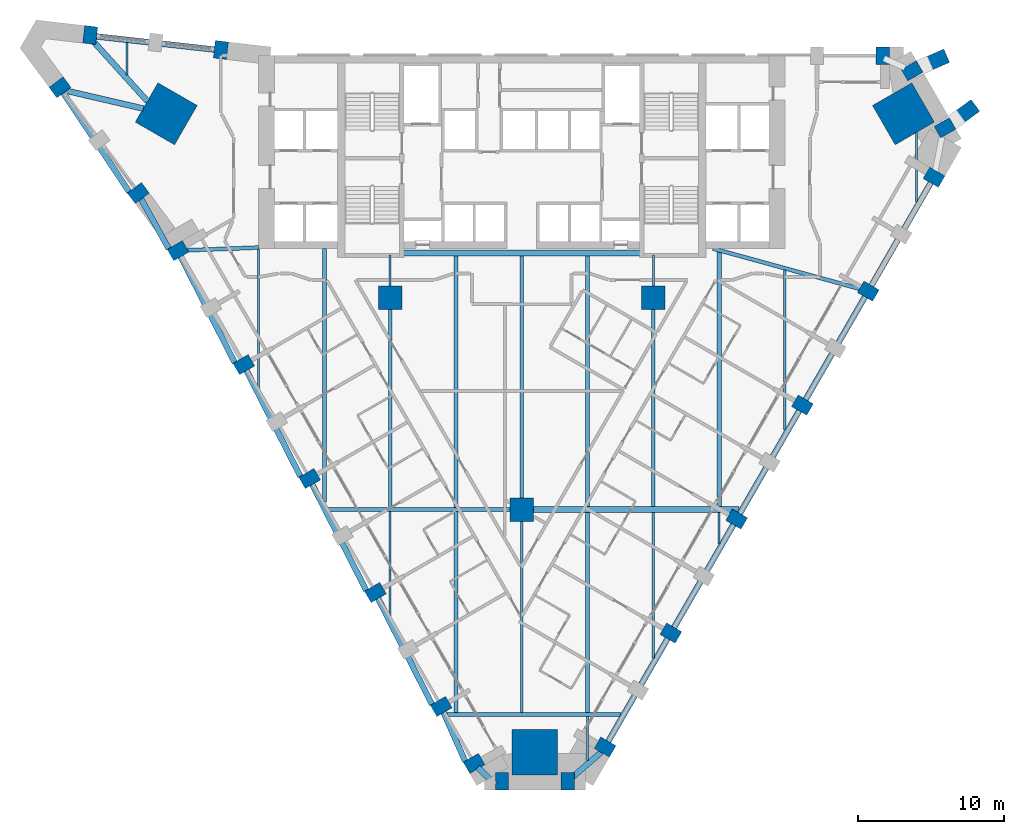
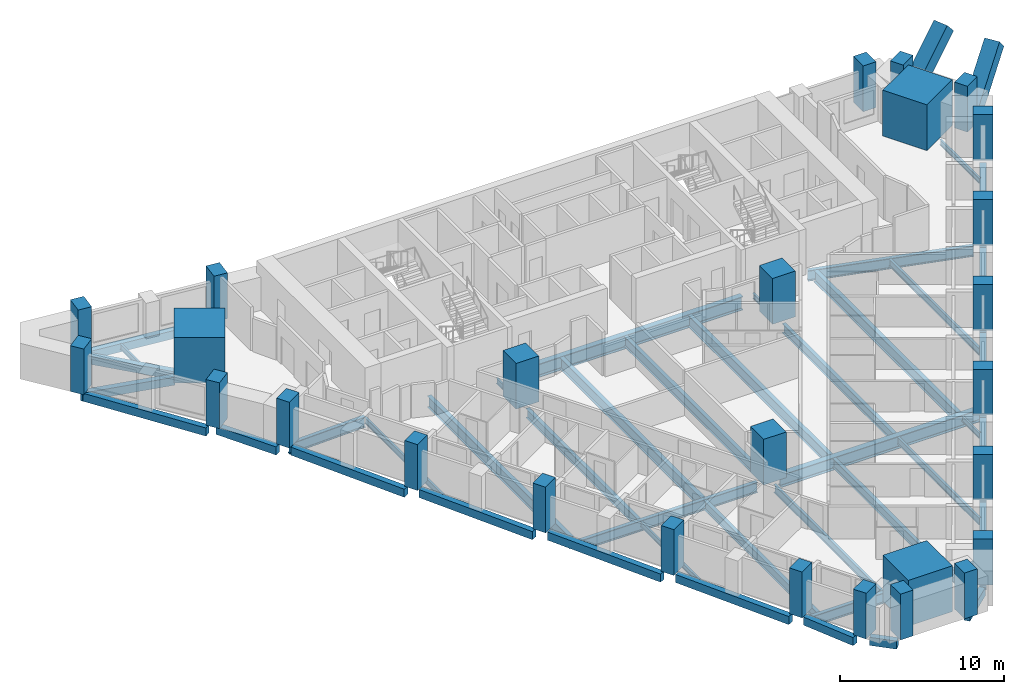
# One storey, part 1 of 12: 43 beams, 29 columns.
"""IFC4 building model written with IfcOpenShell, lengths in metres."""

from ifc_helpers import new_model, si_unit, direction, frame, origin, origin_2d, place, context, subcontext, project, spatial, rectangle, i_section, extrude, material, material_profile, profile_set, type_object, element, save


model = new_model("IFC4")

# Units and contexts
model_context = context("Model", 3, precision=1e-05, world=origin(), true_north=direction((0.0, 1.0)))
body_context = subcontext(model_context, "Body", "Model", "MODEL_VIEW")
ifc_project = project(units=[si_unit("LENGTHUNIT", "METRE"), si_unit("AREAUNIT", "SQUARE_METRE"), si_unit("VOLUMEUNIT", "CUBIC_METRE"), si_unit("PLANEANGLEUNIT", "RADIAN"), si_unit("MASSUNIT", "GRAM", prefix="KILO")], contexts=[model_context])

# Site, building, storey
site_placement = place(None, origin())
site = spatial("IfcSite", under=ifc_project, at=site_placement, CompositionType="ELEMENT")
building_placement = place(site_placement, origin())
building = spatial("IfcBuilding", under=site, at=building_placement, Name="Calabash Gate Tower", CompositionType="ELEMENT")
storey_placement = place(building_placement, frame((0.0, 0.0, 80.0)))
storey = spatial("IfcBuildingStorey", under=building, at=storey_placement, Name="L16", CompositionType="ELEMENT", Elevation=80.0)

# Columns
ifc_material_1 = material(Name="Concrete C80/95", Category="concrete")
ifc_material_profile_1 = material_profile(ifc_material_1, rectangle(XDim=1.60009765625, YDim=1.60009765625, at=origin_2d()))
ifc_profile_set_1 = profile_set([ifc_material_profile_1], Name="Concrete C80/95")
column_type_1 = type_object("IfcColumnType", Name="Interior column RC 1600x1600 Concrete C80/95", PredefinedType="COLUMN", material=ifc_profile_set_1)
for number, where, z_axis, x_axis, name in (
    (1, (-9.0, 2.5, 0.0), (0.0, 0.0, 1.0), (1.0, 0.0, 0.0), "Interior column L16 I0"),
    (2, (9.0, 2.5, 0.0), (0.0, 0.0, 1.0), (1.0, 0.0, 0.0), "Interior column L16 I1"),
    (3, (0.0, -12.0, 0.0), (0.0, 0.0, 1.0), (1.0, 0.0, 0.0), "Interior column L16 I2"),
):
    element("IfcColumn", number, at=place(storey_placement, frame(where, z_axis=z_axis, x_axis=x_axis)), inside=storey, type_object=column_type_1, Name=name, PredefinedType="COLUMN", context=body_context, shape_type="SweptSolid", body=[
        extrude(rectangle(XDim=1.60009765625, YDim=1.60009765625, at=origin_2d()), origin(), (0.0, 0.0, 1.0), 3.39990234375),
    ])
ifc_material_2 = material(Name="Concrete C80/95", Category="concrete")
ifc_material_profile_2 = material_profile(ifc_material_2, rectangle(XDim=3.10009765625, YDim=3.10009765625, at=origin_2d()))
ifc_profile_set_2 = profile_set([ifc_material_profile_2], Name="Concrete C80/95")
column_type_2 = type_object("IfcColumnType", Name="Mega column RC 3100x3100 Concrete C80/95", PredefinedType="COLUMN", material=ifc_profile_set_2)
for number, where, z_axis, x_axis, name in (
    (4, (-24.31689453125, 15.072998046875, 0.0), (0.0, 0.0, 1.0), (0.866025412511, -0.499999984885, 0.0), "Mega column L16 NW"),
    (5, (26.10693359375, 15.072998046875, 0.0), (0.0, 0.0, 1.0), (-0.866025447418, -0.499999924425, 0.0), "Mega column L16 NE"),
    (6, (0.89697265625, -28.595947265625, 0.0), (0.0, 0.0, 1.0), (0.0, 1.0, 0.0), "Mega column L16 S"),
):
    element("IfcColumn", number, at=place(storey_placement, frame(where, z_axis=z_axis, x_axis=x_axis)), inside=storey, type_object=column_type_2, Name=name, PredefinedType="COLUMN", context=body_context, shape_type="SweptSolid", body=[
        extrude(rectangle(XDim=3.10009765625, YDim=3.10009765625, at=origin_2d()), origin(), (0.0, 0.0, 1.0), 3.39990234375),
    ])
ifc_material_3 = material(Name="Concrete C70/85", Category="concrete")
ifc_material_profile_3 = material_profile(ifc_material_3, rectangle(XDim=0.89990234375, YDim=1.199951171875, at=origin_2d()))
ifc_profile_set_3 = profile_set([ifc_material_profile_3], Name="Concrete C70/85")
column_type_3 = type_object("IfcColumnType", Name="Perimeter column RC 900x1200 Concrete C70/85", PredefinedType="COLUMN", material=ifc_profile_set_3)
for number, where, z_axis, x_axis, name in (
    (7, (-23.509033203125, 5.714111328125, 0.0), (0.0, 0.0, 1.0), (0.5, -0.866025403784, 0.0), "Perimeter column L16 P00"),
    (8, (-19.009033203125, -2.080078125, 0.0), (0.0, 0.0, 1.0), (0.5, -0.866025403784, 0.0), "Perimeter column L16 P01"),
    (9, (-14.509033203125, -9.8740234375, 0.0), (0.0, 0.0, 1.0), (0.5, -0.866025403784, 0.0), "Perimeter column L16 P02"),
    (10, (-10.009033203125, -17.6689453125, 0.0), (0.0, 0.0, 1.0), (0.5, -0.866025403784, 0.0), "Perimeter column L16 P03"),
    (11, (-5.509033203125, -25.462890625, 0.0), (0.0, 0.0, 1.0), (0.5, -0.866025403784, 0.0), "Perimeter column L16 P04"),
    (12, (-3.259033203125, -29.360107421875, 0.0), (0.0, 0.0, 1.0), (0.5, -0.866025403784, 0.0), "Perimeter column L16 P05"),
    (13, (-1.35302734375, -30.573974609375, 0.0), (0.0, 0.0, 1.0), (1.0, 0.0, 0.0), "Perimeter column L16 P06"),
    (14, (3.14697265625, -30.573974609375, 0.0), (0.0, 0.0, 1.0), (1.0, 0.0, 0.0), "Perimeter column L16 P07"),
    (15, (5.697021484375, -28.237060546875, 0.0), (0.0, 0.0, 1.0), (0.5, 0.866025403784, 0.0), "Perimeter column L16 P08"),
    (16, (10.197021484375, -20.443115234375, 0.0), (0.0, 0.0, 1.0), (0.5, 0.866025403784, 0.0), "Perimeter column L16 P09"),
    (17, (14.697021484375, -12.64794921875, 0.0), (0.0, 0.0, 1.0), (0.5, 0.866025403784, 0.0), "Perimeter column L16 P10"),
    (18, (19.197021484375, -4.85400390625, 0.0), (0.0, 0.0, 1.0), (0.5, 0.866025403784, 0.0), "Perimeter column L16 P11"),
    (19, (23.697021484375, 2.93994140625, 0.0), (0.0, 0.0, 1.0), (0.5, 0.866025403784, 0.0), "Perimeter column L16 P12"),
    (20, (28.197021484375, 10.73388671875, 0.0), (0.0, 0.0, 1.0), (0.5, 0.866025403784, 0.0), "Perimeter column L16 P13"),
    (21, (28.947021484375, 14.113037109375, 0.0), (0.0, 0.0, 1.0), (-0.5, 0.866025403784, 0.0), "Perimeter column L16 P14"),
    (22, (26.697021484375, 18.010986328125, 0.0), (0.0, 0.0, 1.0), (-0.5, 0.866025403784, 0.0), "Perimeter column L16 P15"),
    (23, (24.69189453125, 19.052978515625, 0.0), (0.0, 0.0, 1.0), (-1.0, 0.0, 0.0), "Perimeter column L16 P16"),
    (24, (-20.576904296875, 19.43798828125, 0.0), (0.0, 0.0, 1.0), (-0.993506319736, 0.113776942504, 0.0), "Perimeter column L16 P17"),
    (25, (-29.51904296875, 20.4619140625, 0.0), (0.0, 0.0, 1.0), (-0.993506319736, 0.113776942504, 0.0), "Perimeter column L16 P18"),
    (26, (-31.5830078125, 16.883056640625, 0.0), (0.0, 0.0, 1.0), (0.595286896465, -0.80351323007, 0.0), "Perimeter column L16 P19"),
    (27, (-26.22802734375, 9.65087890625, 0.0), (0.0, 0.0, 1.0), (0.595286896465, -0.80351323007, 0.0), "Perimeter column L16 P20"),
):
    element("IfcColumn", number, at=place(storey_placement, frame(where, z_axis=z_axis, x_axis=x_axis)), inside=storey, type_object=column_type_3, Name=name, PredefinedType="COLUMN", context=body_context, shape_type="SweptSolid", body=[
        extrude(rectangle(XDim=0.89990234375, YDim=1.199951171875, at=origin_2d()), origin(), (0.0, 0.0, 1.0), 3.39990234375),
    ])
ifc_material_4 = material(Name="Concrete C80/95", Category="concrete")
ifc_material_profile_4 = material_profile(ifc_material_4, rectangle(XDim=1.0, YDim=1.0, at=origin_2d()))
ifc_profile_set_4 = profile_set([ifc_material_profile_4], Name="Concrete C80/95")
column_type_4 = type_object("IfcColumnType", Name="Prow kicker column RC 1000x1000 Concrete C80/95", PredefinedType="COLUMN", material=ifc_profile_set_4)
for number, where, z_axis, x_axis, name in (
    (28, (29.756103515625, 14.7119140625, 0.47412109375), (0.602858898246, 0.444389339192, 0.662630563752), (-0.533379588155, -0.393173599009, 0.748946417297), "Prow kicker column L16 KP22"),
    (29, (27.618896484375, 18.4140625, 0.47412109375), (0.686268897976, 0.299865944221, 0.662657841701), (-0.60722117307, -0.265325954521, 0.748922282238), "Prow kicker column L16 KP23"),
):
    element("IfcColumn", number, at=place(storey_placement, frame(where, z_axis=z_axis, x_axis=x_axis)), inside=storey, type_object=column_type_4, Name=name, PredefinedType="COLUMN", context=body_context, shape_type="SweptSolid", body=[
        extrude(rectangle(XDim=1.0, YDim=1.0, at=origin_2d()), origin(), (0.0, 0.0, 1.0), 4.415283203125),
    ])

# Beams
ifc_material_5 = material(Name="Concrete C60/75", Category="concrete")
ifc_material_profile_5 = material_profile(ifc_material_5, rectangle(XDim=0.39990234375, YDim=0.60009765625, at=origin_2d()))
ifc_profile_set_5 = profile_set([ifc_material_profile_5], Name="Concrete C60/75")
beam_type_1 = type_object("IfcBeamType", Name="Edge beam RC 400x600 Concrete C60/75", PredefinedType="BEAM", material=ifc_profile_set_5)
for number, where, z_axis, x_axis, name in (
    (30, (-18.864013671875, -2.4208984375, -0.469970703125), (0.454360539812, -0.890817882545, 0.0), (0.890817882545, 0.454360539812, 0.0), "Edge beam L16 1"),
    (31, (-14.364013671875, -10.216064453125, -0.469970703125), (0.454360539812, -0.890817882545, 0.0), (0.890817882545, 0.454360539812, 0.0), "Edge beam L16 2"),
    (32, (-9.864013671875, -18.010009765625, -0.469970703125), (0.454360539812, -0.890817882545, 0.0), (0.890817882545, 0.454360539812, 0.0), "Edge beam L16 3"),
):
    element("IfcBeam", number, at=place(storey_placement, frame(where, z_axis=z_axis, x_axis=x_axis)), inside=storey, type_object=beam_type_1, Name=name, PredefinedType="BEAM", context=body_context, shape_type="SweptSolid", body=[
        extrude(rectangle(XDim=0.39990234375, YDim=0.60009765625, at=origin_2d()), origin(), (0.0, 0.0, 1.0), 8.209228515625),
    ])
beam_1_placement = place(storey_placement, frame((-5.383056640625, -25.802978515625, -0.469970703125), z_axis=(0.406538286329, -0.913633745955, 0.0), x_axis=(0.913633745955, 0.406538286329, 0.0)))
element("IfcBeam", 33, at=beam_1_placement, inside=storey, type_object=beam_type_1, Name="Edge beam L16 4", PredefinedType="BEAM", context=body_context, shape_type="SweptSolid", body=[
    extrude(rectangle(XDim=0.39990234375, YDim=0.60009765625, at=origin_2d()), origin(), (0.0, 0.0, 1.0), 3.739013671875),
])
beam_2_placement = place(storey_placement, frame((-3.01708984375, -29.626953125, -0.469970703125), z_axis=(0.719900616521, -0.694077158774, 0.0), x_axis=(0.694077158774, 0.719900616521, 0.0)))
element("IfcBeam", 34, at=beam_2_placement, inside=storey, type_object=beam_type_1, Name="Edge beam L16 5", PredefinedType="BEAM", context=body_context, shape_type="SweptSolid", body=[
    extrude(rectangle(XDim=0.39990234375, YDim=0.60009765625, at=origin_2d()), origin(), (0.0, 0.0, 1.0), 1.70166015625),
])
beam_3_placement = place(storey_placement, frame((3.277099609375, -30.466064453125, -0.469970703125), z_axis=(0.754438433484, 0.656370817512, 0.0), x_axis=(-0.656370817512, 0.754438433484, 0.0)))
element("IfcBeam", 35, at=beam_3_placement, inside=storey, type_object=beam_type_1, Name="Edge beam L16 6", PredefinedType="BEAM", context=body_context, shape_type="SweptSolid", body=[
    extrude(rectangle(XDim=0.39990234375, YDim=0.60009765625, at=origin_2d()), origin(), (0.0, 0.0, 1.0), 2.863037109375),
])
beam_4_placement = place(storey_placement, frame((5.76611328125, -28.116943359375, -0.469970703125), z_axis=(0.500003371769, 0.866023457084, 0.0), x_axis=(-0.866023457084, 0.500003371769, 0.0)))
element("IfcBeam", 36, at=beam_4_placement, inside=storey, type_object=beam_type_1, Name="Edge beam L16 7", PredefinedType="BEAM", context=body_context, shape_type="SweptSolid", body=[
    extrude(rectangle(XDim=0.39990234375, YDim=0.60009765625, at=origin_2d()), origin(), (0.0, 0.0, 1.0), 8.42578125),
])
for number, where, z_axis, x_axis, name in (
    (37, (10.26611328125, -20.322998046875, -0.469970703125), (0.499990825162, 0.866030700815, 0.0), (-0.866030700815, 0.499990825162, 0.0), "Edge beam L16 8"),
    (38, (14.76611328125, -12.529052734375, -0.469970703125), (0.499990825162, 0.866030700815, 0.0), (-0.866030700815, 0.499990825162, 0.0), "Edge beam L16 9"),
):
    element("IfcBeam", number, at=place(storey_placement, frame(where, z_axis=z_axis, x_axis=x_axis)), inside=storey, type_object=beam_type_1, Name=name, PredefinedType="BEAM", context=body_context, shape_type="SweptSolid", body=[
        extrude(rectangle(XDim=0.39990234375, YDim=0.60009765625, at=origin_2d()), origin(), (0.0, 0.0, 1.0), 8.426025390625),
    ])
beam_5_placement = place(storey_placement, frame((19.26611328125, -4.73291015625, -0.469970703125), z_axis=(0.500103763521, 0.865965487599, 0.0), x_axis=(-0.865965487599, 0.500103763521, 0.0)))
element("IfcBeam", 39, at=beam_5_placement, inside=storey, type_object=beam_type_1, Name="Edge beam L16 10", PredefinedType="BEAM", context=body_context, shape_type="SweptSolid", body=[
    extrude(rectangle(XDim=0.39990234375, YDim=0.60009765625, at=origin_2d()), origin(), (0.0, 0.0, 1.0), 8.424072265625),
])
beam_6_placement = place(storey_placement, frame((23.76611328125, 3.06005859375, -0.469970703125), z_axis=(0.500053563446, 0.865994476706, 0.0), x_axis=(-0.865994476706, 0.500053563446, 0.0)))
element("IfcBeam", 40, at=beam_6_placement, inside=storey, type_object=beam_type_1, Name="Edge beam L16 11", PredefinedType="BEAM", context=body_context, shape_type="SweptSolid", body=[
    extrude(rectangle(XDim=0.39990234375, YDim=0.60009765625, at=origin_2d()), origin(), (0.0, 0.0, 1.0), 8.4248046875),
])
beam_7_placement = place(storey_placement, frame((-21.008056640625, 19.466064453125, -0.469970703125), z_axis=(-0.993831779681, 0.110898123053, 0.0), x_axis=(-0.110898123053, -0.993831779681, 0.0)))
element("IfcBeam", 41, at=beam_7_placement, inside=storey, type_object=beam_type_1, Name="Edge beam L16 14", PredefinedType="BEAM", context=body_context, shape_type="SweptSolid", body=[
    extrude(rectangle(XDim=0.39990234375, YDim=0.60009765625, at=origin_2d()), origin(), (0.0, 0.0, 1.0), 8.72900390625),
])
beam_8_placement = place(storey_placement, frame((-29.674072265625, 20.43603515625, -0.469970703125), z_axis=(0.67040303974, -0.741997145754, 0.0), x_axis=(0.741997145754, 0.67040303974, 0.0)))
element("IfcBeam", 42, at=beam_8_placement, inside=storey, type_object=beam_type_1, Name="Edge beam L16 15", PredefinedType="BEAM", context=body_context, shape_type="SweptSolid", body=[
    extrude(rectangle(XDim=0.39990234375, YDim=0.60009765625, at=origin_2d()), origin(), (0.0, 0.0, 1.0), 6.09033203125),
])
beam_9_placement = place(storey_placement, frame((-25.881103515625, 15.427001953125, -0.469970703125), z_axis=(-0.974103552421, 0.226102342228, 0.0), x_axis=(-0.226102342228, -0.974103552421, 0.0)))
element("IfcBeam", 43, at=beam_9_placement, inside=storey, type_object=beam_type_1, Name="Edge beam L16 16", PredefinedType="BEAM", context=body_context, shape_type="SweptSolid", body=[
    extrude(rectangle(XDim=0.39990234375, YDim=0.60009765625, at=origin_2d()), origin(), (0.0, 0.0, 1.0), 5.8955078125),
])
beam_10_placement = place(storey_placement, frame((-31.56689453125, 16.81103515625, -0.469970703125), z_axis=(0.554653898701, -0.832081157494, 0.0), x_axis=(0.832081157494, 0.554653898701, 0.0)))
element("IfcBeam", 44, at=beam_10_placement, inside=storey, type_object=beam_type_1, Name="Edge beam L16 17", PredefinedType="BEAM", context=body_context, shape_type="SweptSolid", body=[
    extrude(rectangle(XDim=0.39990234375, YDim=0.60009765625, at=origin_2d()), origin(), (0.0, 0.0, 1.0), 8.5185546875),
])
beam_11_placement = place(storey_placement, frame((-26.208984375, 9.56396484375, -0.469970703125), z_axis=(0.485277183535, -0.87436036915, 0.0), x_axis=(0.87436036915, 0.485277183535, 0.0)))
element("IfcBeam", 45, at=beam_11_placement, inside=storey, type_object=beam_type_1, Name="Edge beam L16 18", PredefinedType="BEAM", context=body_context, shape_type="SweptSolid", body=[
    extrude(rectangle(XDim=0.39990234375, YDim=0.60009765625, at=origin_2d()), origin(), (0.0, 0.0, 1.0), 4.251220703125),
])
beam_12_placement = place(storey_placement, frame((-23.364013671875, 5.373046875, -0.469970703125), z_axis=(0.454360539812, -0.890817882545, 0.0), x_axis=(0.890817882545, 0.454360539812, 0.0)))
element("IfcBeam", 46, at=beam_12_placement, inside=storey, type_object=beam_type_1, Name="Edge beam L16 19", PredefinedType="BEAM", context=body_context, shape_type="SweptSolid", body=[
    extrude(rectangle(XDim=0.39990234375, YDim=0.60009765625, at=origin_2d()), origin(), (0.0, 0.0, 1.0), 8.209228515625),
])
ifc_material_6 = material(Name="Steel ASTM A992 Gr50", Category="steel")
ifc_material_profile_6 = material_profile(ifc_material_6, i_section(OverallWidth=0.1396484375, OverallDepth=0.398681640625, WebThickness=0.00634765625, FlangeThickness=0.0087890625, FilletRadius=0.01025390625, at=origin_2d()))
ifc_profile_set_6 = profile_set([ifc_material_profile_6], Name="Steel ASTM A992 Gr50")
beam_type_2 = type_object("IfcBeamType", Name="Floor beam W16x26 ASTM A992 Gr50", PredefinedType="BEAM", material=ifc_profile_set_6)
beam_13_placement = place(storey_placement, frame((-27.0, 17.741943359375, -0.368896484375), z_axis=(0.0, 1.0, 0.0), x_axis=(-1.0, 0.0, 0.0)))
element("IfcBeam", 47, at=beam_13_placement, inside=storey, type_object=beam_type_2, Name="Floor beam L16 1", PredefinedType="BEAM", context=body_context, shape_type="SweptSolid", body=[
    extrude(i_section(OverallWidth=0.1396484375, OverallDepth=0.398681640625, WebThickness=0.00634765625, FlangeThickness=0.0087890625, FilletRadius=0.01025390625, at=origin_2d()), origin(), (0.0, 0.0, 1.0), 2.220947265625),
])
beam_14_placement = place(storey_placement, frame((-9.0, -19.2880859375, -0.368896484375), z_axis=(0.0, 1.0, 0.0), x_axis=(-1.0, 0.0, 0.0)))
element("IfcBeam", 48, at=beam_14_placement, inside=storey, type_object=beam_type_2, Name="Floor beam L16 4", PredefinedType="BEAM", context=body_context, shape_type="SweptSolid", body=[
    extrude(i_section(OverallWidth=0.1396484375, OverallDepth=0.398681640625, WebThickness=0.00634765625, FlangeThickness=0.0087890625, FilletRadius=0.01025390625, at=origin_2d()), origin(), (0.0, 0.0, 1.0), 7.155029296875),
])
beam_15_placement = place(storey_placement, frame((-9.0, 3.300048828125, -0.368896484375), z_axis=(0.0, 1.0, 0.0), x_axis=(-1.0, 0.0, 0.0)))
element("IfcBeam", 49, at=beam_15_placement, inside=storey, type_object=beam_type_2, Name="Floor beam L16 6", PredefinedType="BEAM", context=body_context, shape_type="SweptSolid", body=[
    extrude(i_section(OverallWidth=0.1396484375, OverallDepth=0.398681640625, WebThickness=0.00634765625, FlangeThickness=0.0087890625, FilletRadius=0.01025390625, at=origin_2d()), origin(), (0.0, 0.0, 1.0), 2.10302734375),
])
beam_16_placement = place(storey_placement, frame((4.5, -29.16796875, -0.368896484375), z_axis=(0.0, 1.0, 0.0), x_axis=(-1.0, 0.0, 0.0)))
element("IfcBeam", 50, at=beam_16_placement, inside=storey, type_object=beam_type_2, Name="Floor beam L16 11", PredefinedType="BEAM", context=body_context, shape_type="SweptSolid", body=[
    extrude(i_section(OverallWidth=0.1396484375, OverallDepth=0.398681640625, WebThickness=0.00634765625, FlangeThickness=0.0087890625, FilletRadius=0.01025390625, at=origin_2d()), origin(), (0.0, 0.0, 1.0), 3.034912109375),
])
beam_17_placement = place(storey_placement, frame((9.0, 3.300048828125, -0.368896484375), z_axis=(0.0, 1.0, 0.0), x_axis=(-1.0, 0.0, 0.0)))
element("IfcBeam", 51, at=beam_17_placement, inside=storey, type_object=beam_type_2, Name="Floor beam L16 16", PredefinedType="BEAM", context=body_context, shape_type="SweptSolid", body=[
    extrude(i_section(OverallWidth=0.1396484375, OverallDepth=0.398681640625, WebThickness=0.00634765625, FlangeThickness=0.0087890625, FilletRadius=0.01025390625, at=origin_2d()), origin(), (0.0, 0.0, 1.0), 2.10302734375),
])
beam_18_placement = place(storey_placement, frame((13.5, -14.35400390625, -0.368896484375), z_axis=(0.0, 1.0, 0.0), x_axis=(-1.0, 0.0, 0.0)))
element("IfcBeam", 52, at=beam_18_placement, inside=storey, type_object=beam_type_2, Name="Floor beam L16 17", PredefinedType="BEAM", context=body_context, shape_type="SweptSolid", body=[
    extrude(i_section(OverallWidth=0.1396484375, OverallDepth=0.398681640625, WebThickness=0.00634765625, FlangeThickness=0.0087890625, FilletRadius=0.01025390625, at=origin_2d()), origin(), (0.0, 0.0, 1.0), 2.14404296875),
])
beam_19_placement = place(storey_placement, frame((27.0, 9.028076171875, -0.368896484375), z_axis=(0.0, 1.0, 0.0), x_axis=(-1.0, 0.0, 0.0)))
element("IfcBeam", 53, at=beam_19_placement, inside=storey, type_object=beam_type_2, Name="Floor beam L16 20", PredefinedType="BEAM", context=body_context, shape_type="SweptSolid", body=[
    extrude(i_section(OverallWidth=0.1396484375, OverallDepth=0.398681640625, WebThickness=0.00634765625, FlangeThickness=0.0087890625, FilletRadius=0.01025390625, at=origin_2d()), origin(), (0.0, 0.0, 1.0), 4.7939453125),
])
ifc_material_7 = material(Name="Steel ASTM A992 Gr50", Category="steel")
ifc_material_profile_7 = material_profile(ifc_material_7, i_section(OverallWidth=0.15234375, OverallDepth=0.44970703125, WebThickness=0.007568359375, FlangeThickness=0.0107421875, FilletRadius=0.01025390625, at=origin_2d()))
ifc_profile_set_7 = profile_set([ifc_material_profile_7], Name="Steel ASTM A992 Gr50")
beam_type_3 = type_object("IfcBeamType", Name="Floor beam W18x35 ASTM A992 Gr50", PredefinedType="BEAM", material=ifc_profile_set_7)
beam_20_placement = place(storey_placement, frame((-18.0, -3.699951171875, -0.39306640625), z_axis=(0.0, 1.0, 0.0), x_axis=(-1.0, 0.0, 0.0)))
element("IfcBeam", 54, at=beam_20_placement, inside=storey, type_object=beam_type_3, Name="Floor beam L16 2", PredefinedType="BEAM", context=body_context, shape_type="SweptSolid", body=[
    extrude(i_section(OverallWidth=0.15234375, OverallDepth=0.44970703125, WebThickness=0.007568359375, FlangeThickness=0.0107421875, FilletRadius=0.01025390625, at=origin_2d()), origin(), (0.0, 0.0, 1.0), 9.512939453125),
])
ifc_material_8 = material(Name="Steel ASTM A992 Gr50", Category="steel")
ifc_material_profile_8 = material_profile(ifc_material_8, i_section(OverallWidth=0.166015625, OverallDepth=0.5283203125, WebThickness=0.009765625, FlangeThickness=0.013671875, FilletRadius=0.0126953125, at=origin_2d()))
ifc_profile_set_8 = profile_set([ifc_material_profile_8], Name="Steel ASTM A992 Gr50")
beam_type_4 = type_object("IfcBeamType", Name="Floor beam W21x50 ASTM A992 Gr50", PredefinedType="BEAM", material=ifc_profile_set_8)
beam_21_placement = place(storey_placement, frame((9.0, -22.14892578125, -0.43408203125), z_axis=(0.0, 1.0, 0.0), x_axis=(-1.0, 0.0, 0.0)))
element("IfcBeam", 55, at=beam_21_placement, inside=storey, type_object=beam_type_4, Name="Floor beam L16 14", PredefinedType="BEAM", context=body_context, shape_type="SweptSolid", body=[
    extrude(i_section(OverallWidth=0.166015625, OverallDepth=0.5283203125, WebThickness=0.009765625, FlangeThickness=0.013671875, FilletRadius=0.0126953125, at=origin_2d()), origin(), (0.0, 0.0, 1.0), 9.93896484375),
])
beam_22_placement = place(storey_placement, frame((18.0, -6.56005859375, -0.43408203125), z_axis=(0.0, 1.0, 0.0), x_axis=(-1.0, 0.0, 0.0)))
element("IfcBeam", 56, at=beam_22_placement, inside=storey, type_object=beam_type_4, Name="Floor beam L16 19", PredefinedType="BEAM", context=body_context, shape_type="SweptSolid", body=[
    extrude(i_section(OverallWidth=0.166015625, OverallDepth=0.5283203125, WebThickness=0.009765625, FlangeThickness=0.013671875, FilletRadius=0.0126953125, at=origin_2d()), origin(), (0.0, 0.0, 1.0), 10.948974609375),
])
ifc_material_9 = material(Name="Steel ASTM A992 Gr50", Category="steel")
ifc_material_profile_9 = material_profile(ifc_material_9, i_section(OverallWidth=0.1787109375, OverallDepth=0.60205078125, WebThickness=0.010986328125, FlangeThickness=0.014892578125, FilletRadius=0.0126953125, at=origin_2d()))
ifc_profile_set_9 = profile_set([ifc_material_profile_9], Name="Steel ASTM A992 Gr50")
beam_type_5 = type_object("IfcBeamType", Name="Floor beam W24x62 ASTM A992 Gr50", PredefinedType="BEAM", material=ifc_profile_set_9)
beam_23_placement = place(storey_placement, frame((0.0, -25.866943359375, -0.470947265625), z_axis=(0.0, 1.0, 0.0), x_axis=(-1.0, 0.0, 0.0)))
element("IfcBeam", 57, at=beam_23_placement, inside=storey, type_object=beam_type_5, Name="Floor beam L16 9", PredefinedType="BEAM", context=body_context, shape_type="SweptSolid", body=[
    extrude(i_section(OverallWidth=0.1787109375, OverallDepth=0.60205078125, WebThickness=0.010986328125, FlangeThickness=0.014892578125, FilletRadius=0.0126953125, at=origin_2d()), origin(), (0.0, 0.0, 1.0), 13.06689453125),
])
ifc_material_10 = material(Name="Steel ASTM A992 Gr50", Category="steel")
ifc_material_profile_10 = material_profile(ifc_material_10, i_section(OverallWidth=0.25390625, OverallDepth=0.67822265625, WebThickness=0.01171875, FlangeThickness=0.016357421875, FilletRadius=0.01513671875, at=origin_2d()))
ifc_profile_set_10 = profile_set([ifc_material_profile_10], Name="Steel ASTM A992 Gr50")
beam_type_6 = type_object("IfcBeamType", Name="Floor beam W27x84 ASTM A992 Gr50", PredefinedType="BEAM", material=ifc_profile_set_10)
beam_24_placement = place(storey_placement, frame((-9.0, -11.866943359375, -0.509033203125), z_axis=(0.0, 1.0, 0.0), x_axis=(-1.0, 0.0, 0.0)))
element("IfcBeam", 58, at=beam_24_placement, inside=storey, type_object=beam_type_6, Name="Floor beam L16 5", PredefinedType="BEAM", context=body_context, shape_type="SweptSolid", body=[
    extrude(i_section(OverallWidth=0.25390625, OverallDepth=0.67822265625, WebThickness=0.01171875, FlangeThickness=0.016357421875, FilletRadius=0.01513671875, at=origin_2d()), origin(), (0.0, 0.0, 1.0), 13.56689453125),
])
beam_25_placement = place(storey_placement, frame((-4.5, -25.866943359375, -0.509033203125), z_axis=(0.0, 1.0, 0.0), x_axis=(-1.0, 0.0, 0.0)))
element("IfcBeam", 59, at=beam_25_placement, inside=storey, type_object=beam_type_6, Name="Floor beam L16 7", PredefinedType="BEAM", context=body_context, shape_type="SweptSolid", body=[
    extrude(i_section(OverallWidth=0.25390625, OverallDepth=0.67822265625, WebThickness=0.01171875, FlangeThickness=0.016357421875, FilletRadius=0.01513671875, at=origin_2d()), origin(), (0.0, 0.0, 1.0), 13.73388671875),
])
beam_26_placement = place(storey_placement, frame((4.5, -25.866943359375, -0.509033203125), z_axis=(0.0, 1.0, 0.0), x_axis=(-1.0, 0.0, 0.0)))
element("IfcBeam", 60, at=beam_26_placement, inside=storey, type_object=beam_type_6, Name="Floor beam L16 12", PredefinedType="BEAM", context=body_context, shape_type="SweptSolid", body=[
    extrude(i_section(OverallWidth=0.25390625, OverallDepth=0.67822265625, WebThickness=0.01171875, FlangeThickness=0.016357421875, FilletRadius=0.01513671875, at=origin_2d()), origin(), (0.0, 0.0, 1.0), 13.656982421875),
])
beam_27_placement = place(storey_placement, frame((9.0, -11.7900390625, -0.509033203125), z_axis=(0.0, 1.0, 0.0), x_axis=(-1.0, 0.0, 0.0)))
element("IfcBeam", 61, at=beam_27_placement, inside=storey, type_object=beam_type_6, Name="Floor beam L16 15", PredefinedType="BEAM", context=body_context, shape_type="SweptSolid", body=[
    extrude(i_section(OverallWidth=0.25390625, OverallDepth=0.67822265625, WebThickness=0.01171875, FlangeThickness=0.016357421875, FilletRadius=0.01513671875, at=origin_2d()), origin(), (0.0, 0.0, 1.0), 13.489990234375),
])
ifc_material_11 = material(Name="Steel ASTM A992 Gr50", Category="steel")
ifc_material_profile_11 = material_profile(ifc_material_11, i_section(OverallWidth=0.2666015625, OverallDepth=0.7568359375, WebThickness=0.013916015625, FlangeThickness=0.019287109375, FilletRadius=0.0166015625, at=origin_2d()))
ifc_profile_set_11 = profile_set([ifc_material_profile_11], Name="Steel ASTM A992 Gr50")
beam_type_7 = type_object("IfcBeamType", Name="Floor beam W30x108 ASTM A992 Gr50", PredefinedType="BEAM", material=ifc_profile_set_11)
beam_28_placement = place(storey_placement, frame((0.0, -11.199951171875, -0.548095703125), z_axis=(0.0, 1.0, 0.0), x_axis=(-1.0, 0.0, 0.0)))
element("IfcBeam", 62, at=beam_28_placement, inside=storey, type_object=beam_type_7, Name="Floor beam L16 10", PredefinedType="BEAM", context=body_context, shape_type="SweptSolid", body=[
    extrude(i_section(OverallWidth=0.2666015625, OverallDepth=0.7568359375, WebThickness=0.013916015625, FlangeThickness=0.019287109375, FilletRadius=0.0166015625, at=origin_2d()), origin(), (0.0, 0.0, 1.0), 16.552001953125),
])
ifc_material_12 = material(Name="Steel ASTM A992 Gr50", Category="steel")
ifc_material_profile_12 = material_profile(ifc_material_12, i_section(OverallWidth=0.2919921875, OverallDepth=0.845703125, WebThickness=0.015380859375, FlangeThickness=0.0244140625, FilletRadius=0.017822265625, at=origin_2d()))
ifc_profile_set_12 = profile_set([ifc_material_profile_12], Name="Steel ASTM A992 Gr50")
beam_type_8 = type_object("IfcBeamType", Name="Floor beam W33x141 ASTM A992 Gr50", PredefinedType="BEAM", material=ifc_profile_set_12)
beam_29_placement = place(storey_placement, frame((-13.5, -11.493896484375, -0.593017578125), z_axis=(0.0, 1.0, 0.0), x_axis=(-1.0, 0.0, 0.0)))
element("IfcBeam", 63, at=beam_29_placement, inside=storey, type_object=beam_type_8, Name="Floor beam L16 3", PredefinedType="BEAM", context=body_context, shape_type="SweptSolid", body=[
    extrude(i_section(OverallWidth=0.2919921875, OverallDepth=0.845703125, WebThickness=0.015380859375, FlangeThickness=0.0244140625, FilletRadius=0.017822265625, at=origin_2d()), origin(), (0.0, 0.0, 1.0), 17.346923828125),
])
beam_30_placement = place(storey_placement, frame((-4.5, -11.866943359375, -0.593017578125), z_axis=(0.0, 1.0, 0.0), x_axis=(-1.0, 0.0, 0.0)))
element("IfcBeam", 64, at=beam_30_placement, inside=storey, type_object=beam_type_8, Name="Floor beam L16 8", PredefinedType="BEAM", context=body_context, shape_type="SweptSolid", body=[
    extrude(i_section(OverallWidth=0.2919921875, OverallDepth=0.845703125, WebThickness=0.015380859375, FlangeThickness=0.0244140625, FilletRadius=0.017822265625, at=origin_2d()), origin(), (0.0, 0.0, 1.0), 17.218994140625),
])
beam_31_placement = place(storey_placement, frame((4.5, -11.7900390625, -0.593017578125), z_axis=(0.0, 1.0, 0.0), x_axis=(-1.0, 0.0, 0.0)))
element("IfcBeam", 65, at=beam_31_placement, inside=storey, type_object=beam_type_8, Name="Floor beam L16 13", PredefinedType="BEAM", context=body_context, shape_type="SweptSolid", body=[
    extrude(i_section(OverallWidth=0.2919921875, OverallDepth=0.845703125, WebThickness=0.015380859375, FlangeThickness=0.0244140625, FilletRadius=0.017822265625, at=origin_2d()), origin(), (0.0, 0.0, 1.0), 17.14208984375),
])
beam_32_placement = place(storey_placement, frame((13.5, -11.7900390625, -0.593017578125), z_axis=(0.0, 1.0, 0.0), x_axis=(-1.0, 0.0, 0.0)))
element("IfcBeam", 66, at=beam_32_placement, inside=storey, type_object=beam_type_8, Name="Floor beam L16 18", PredefinedType="BEAM", context=body_context, shape_type="SweptSolid", body=[
    extrude(i_section(OverallWidth=0.2919921875, OverallDepth=0.845703125, WebThickness=0.015380859375, FlangeThickness=0.0244140625, FilletRadius=0.017822265625, at=origin_2d()), origin(), (0.0, 0.0, 1.0), 17.4140625),
])
ifc_material_13 = material(Name="Steel ASTM A992 Gr50", Category="steel")
ifc_material_profile_13 = material_profile(ifc_material_13, i_section(OverallWidth=0.2666015625, OverallDepth=0.77978515625, WebThickness=0.0166015625, FlangeThickness=0.030029296875, FilletRadius=0.0166015625, at=origin_2d()))
ifc_profile_set_13 = profile_set([ifc_material_profile_13], Name="Steel ASTM A992 Gr50")
beam_type_9 = type_object("IfcBeamType", Name="Girder W30x148 ASTM A992 Gr50", PredefinedType="BEAM", material=ifc_profile_set_13)
beam_33_placement = place(storey_placement, frame((-23.43310546875, 5.717041015625, -0.56005859375), z_axis=(0.999274774778, 0.038077874046, 0.0), x_axis=(-0.038077874046, 0.999274774778, 0.0)))
element("IfcBeam", 67, at=beam_33_placement, inside=storey, type_object=beam_type_9, Name="Girder L16 2", PredefinedType="BEAM", context=body_context, shape_type="SweptSolid", body=[
    extrude(i_section(OverallWidth=0.2666015625, OverallDepth=0.77978515625, WebThickness=0.0166015625, FlangeThickness=0.030029296875, FilletRadius=0.0166015625, at=origin_2d()), origin(), (0.0, 0.0, 1.0), 5.43701171875),
])
beam_34_placement = place(storey_placement, frame((23.12109375, 3.09912109375, -0.56005859375), z_axis=(-0.964327320459, 0.264712710341, 0.0), x_axis=(-0.264712710341, -0.964327320459, 0.0)))
element("IfcBeam", 68, at=beam_34_placement, inside=storey, type_object=beam_type_9, Name="Girder L16 3", PredefinedType="BEAM", context=body_context, shape_type="SweptSolid", body=[
    extrude(i_section(OverallWidth=0.2666015625, OverallDepth=0.77978515625, WebThickness=0.0166015625, FlangeThickness=0.030029296875, FilletRadius=0.0166015625, at=origin_2d()), origin(), (0.0, 0.0, 1.0), 10.421875),
])
beam_35_placement = place(storey_placement, frame((-13.251953125, -12.0, -0.56005859375), z_axis=(1.0, 0.0, 0.0), x_axis=(0.0, 1.0, 0.0)))
element("IfcBeam", 69, at=beam_35_placement, inside=storey, type_object=beam_type_9, Name="Girder L16 4", PredefinedType="BEAM", context=body_context, shape_type="SweptSolid", body=[
    extrude(i_section(OverallWidth=0.2666015625, OverallDepth=0.77978515625, WebThickness=0.0166015625, FlangeThickness=0.030029296875, FilletRadius=0.0166015625, at=origin_2d()), origin(), (0.0, 0.0, 1.0), 12.451904296875),
])
beam_36_placement = place(storey_placement, frame((-5.10888671875, -26.0, -0.56005859375), z_axis=(1.0, 0.0, 0.0), x_axis=(0.0, 1.0, 0.0)))
element("IfcBeam", 70, at=beam_36_placement, inside=storey, type_object=beam_type_9, Name="Girder L16 6", PredefinedType="BEAM", context=body_context, shape_type="SweptSolid", body=[
    extrude(i_section(OverallWidth=0.2666015625, OverallDepth=0.77978515625, WebThickness=0.0166015625, FlangeThickness=0.030029296875, FilletRadius=0.0166015625, at=origin_2d()), origin(), (0.0, 0.0, 1.0), 11.887939453125),
])
ifc_material_14 = material(Name="Steel ASTM A992 Gr50", Category="steel")
ifc_material_profile_14 = material_profile(ifc_material_14, i_section(OverallWidth=0.419189453125, OverallDepth=0.927001953125, WebThickness=0.019287109375, FlangeThickness=0.031982421875, FilletRadius=0.024169921875, at=origin_2d()))
ifc_profile_set_14 = profile_set([ifc_material_profile_14], Name="Steel ASTM A992 Gr50")
beam_type_10 = type_object("IfcBeamType", Name="Girder W36x231 ASTM A992 Gr50", PredefinedType="BEAM", material=ifc_profile_set_14)
beam_37_placement = place(storey_placement, frame((0.800048828125, -12.0, -0.634033203125), z_axis=(1.0, 0.0, 0.0), x_axis=(0.0, 1.0, 0.0)))
element("IfcBeam", 71, at=beam_37_placement, inside=storey, type_object=beam_type_10, Name="Girder L16 5", PredefinedType="BEAM", context=body_context, shape_type="SweptSolid", body=[
    extrude(i_section(OverallWidth=0.419189453125, OverallDepth=0.927001953125, WebThickness=0.019287109375, FlangeThickness=0.031982421875, FilletRadius=0.024169921875, at=origin_2d()), origin(), (0.0, 0.0, 1.0), 14.071044921875),
])
ifc_material_15 = material(Name="Steel ASTM A992 Gr50", Category="steel")
ifc_material_profile_15 = material_profile(ifc_material_15, i_section(OverallWidth=0.4013671875, OverallDepth=1.000732421875, WebThickness=0.01904296875, FlangeThickness=0.0361328125, FilletRadius=0.030029296875, at=origin_2d()))
ifc_profile_set_15 = profile_set([ifc_material_profile_15], Name="Steel ASTM A992 Gr50")
beam_type_11 = type_object("IfcBeamType", Name="Girder W40x249 ASTM A992 Gr50", PredefinedType="BEAM", material=ifc_profile_set_15)
beam_38_placement = place(storey_placement, frame((-8.25, 5.552978515625, -0.669921875), z_axis=(1.0, 0.0, 0.0), x_axis=(0.0, 1.0, 0.0)))
element("IfcBeam", 72, at=beam_38_placement, inside=storey, type_object=beam_type_11, Name="Girder L16 1", PredefinedType="BEAM", context=body_context, shape_type="SweptSolid", body=[
    extrude(i_section(OverallWidth=0.4013671875, OverallDepth=1.000732421875, WebThickness=0.01904296875, FlangeThickness=0.0361328125, FilletRadius=0.030029296875, at=origin_2d()), origin(), (0.0, 0.0, 1.0), 16.5),
])

save(model, "model.ifc")
